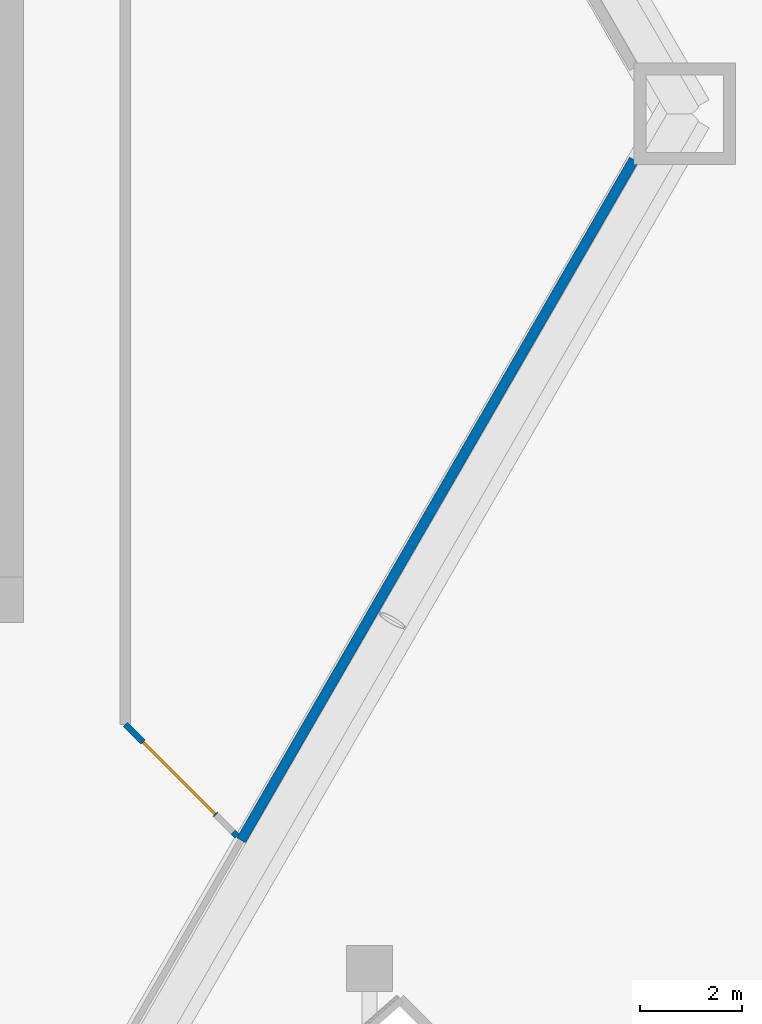
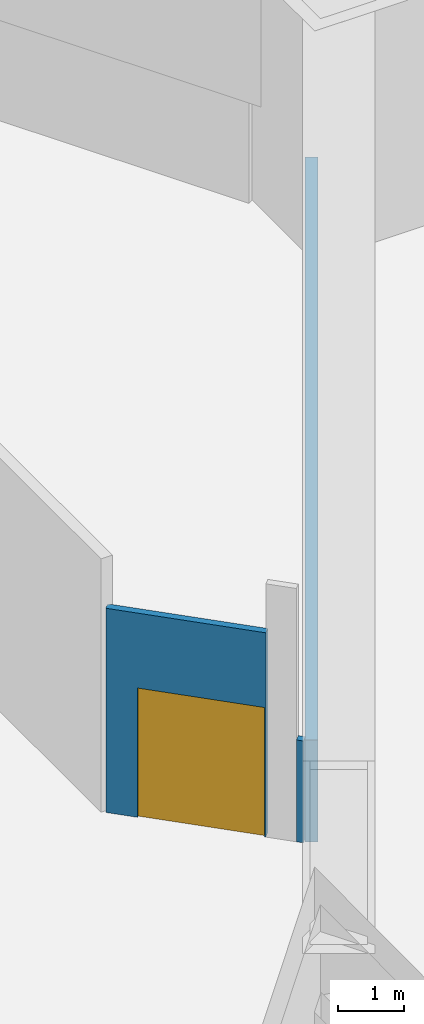
# One storey, part 5 of 10: 3 walls, 1 door, 1 opening.
"""IFC4 building model written with IfcOpenShell, lengths in metres."""

from ifc_helpers import new_model, si_unit, direction, frame, frame_2d, origin, place, context, subcontext, project, spatial, rectangle, extrude, material, layer, layer_set, type_object, element, fill, save


model = new_model("IFC4")

# Units and contexts
model_context = context("Model", 3, precision=1e-05, world=origin(), true_north=direction((0.0, 1.0)))
body_context = subcontext(model_context, "Body", "Model", "MODEL_VIEW")
ifc_project = project(units=[si_unit("LENGTHUNIT", "METRE"), si_unit("AREAUNIT", "SQUARE_METRE"), si_unit("VOLUMEUNIT", "CUBIC_METRE"), si_unit("PLANEANGLEUNIT", "RADIAN"), si_unit("MASSUNIT", "GRAM", prefix="KILO")], contexts=[model_context])

# Site, building, storey
site_placement = place(None, origin())
site = spatial("IfcSite", under=ifc_project, at=site_placement, CompositionType="ELEMENT")
building_placement = place(site_placement, origin())
building = spatial("IfcBuilding", under=site, at=building_placement, Name="Golbaran Civic Tower", CompositionType="ELEMENT")
storey_placement = place(building_placement, frame((0.0, 0.0, 16.0)))
storey = spatial("IfcBuildingStorey", under=building, at=storey_placement, Name="L03", CompositionType="ELEMENT", Elevation=16.0)

# Wall, opening, door
ifc_material_1 = material(Name="Glazed screen on steel framing", Category="steel")
ifc_layer_1 = layer(ifc_material_1, 0.1201171875, Name="Glazed screen on steel framing")
ifc_layer_set_1 = layer_set([ifc_layer_1], Name="Glazed screen on steel framing")
wall_type_1 = type_object("IfcWallType", Name="GLAZED SCREEN PARTITION 120", PredefinedType="PARTITIONING", material=ifc_layer_set_1)
wall_1_placement = place(storey_placement, frame((12.0, -12.0, 0.0), z_axis=(0.0, 0.0, 1.0), x_axis=(0.707106781187, -0.707106781187, 0.0)))
wall_1 = element("IfcWall", 1, at=wall_1_placement, inside=storey, type_object=wall_type_1, Name="Podium partition L03", PredefinedType="PARTITIONING", context=body_context, shape_type="SweptSolid", body=[
    extrude(rectangle(XDim=2.51904296875, YDim=0.1201171875, at=frame_2d((1.259521484375, 0.0))), origin(), (0.0, 0.0, 1.0), 3.7900390625),
])
opening_placement = place(wall_1_placement, frame((0.499267578125, 0.0, 0.0)))
opening = element("IfcOpeningElement", 2, at=opening_placement, cuts=wall_1, Name="Opening L03.03", PredefinedType="OPENING", context=body_context, shape_type="SweptSolid", body=[
    extrude(rectangle(XDim=2.0, YDim=2.39990234375, at=frame_2d((1.0, 1.199951171875))), frame((0.0, 0.070068359375, 0.0), z_axis=(0.0, -1.0, 0.0), x_axis=(1.0, 0.0, 0.0)), (0.0, 0.0, 1.0), 0.14013671875),
])
ifc_material_2 = material(Name="Timber door set in steel frame", Category="steel")
door_type = type_object("IfcDoorType", Name="PUBLIC DOUBLE DOOR 2000x2400", OperationType="DOUBLE_DOOR_SINGLE_SWING", PredefinedType="DOOR", material=ifc_material_2)
door_placement = place(opening_placement, origin())
door = element("IfcDoor", 3, at=door_placement, inside=storey, type_object=door_type, Name="Office 1 door", OperationType="DOUBLE_DOOR_SINGLE_SWING", OverallHeight=2.39990234375, OverallWidth=2.0, PredefinedType="DOOR", context=body_context, shape_type="SweptSolid", body=[
    extrude(rectangle(XDim=2.0, YDim=2.39990234375, at=frame_2d((1.0, 1.199951171875))), frame((0.0, 0.02490234375, 0.0), z_axis=(0.0, -1.0, 0.0), x_axis=(1.0, 0.0, 0.0)), (0.0, 0.0, 1.0), 0.050048828125),
])
fill(opening, door)

# Walls
wall_2_placement = place(storey_placement, frame((14.1201171875, -14.1201171875, 0.0), z_axis=(0.0, 0.0, 1.0), x_axis=(0.707106781187, -0.707106781187, 0.0)))
element("IfcWall", 4, at=wall_2_placement, inside=storey, type_object=wall_type_1, Name="Podium partition L03 under the beam over", PredefinedType="PARTITIONING", context=body_context, shape_type="SweptSolid", body=[
    extrude(rectangle(XDim=0.114013671875, YDim=0.1201171875, at=frame_2d((0.05712890625, 0.0))), origin(), (0.0, 0.0, 1.0), 1.889892578125),
])
ifc_material_3 = material(Name="Concrete block, plastered", Category="concrete")
ifc_layer_2 = layer(ifc_material_3, 0.199951171875, Name="Concrete block, plastered")
ifc_layer_set_2 = layer_set([ifc_layer_2], Name="Concrete block, plastered")
wall_type_2 = type_object("IfcWallType", Name="PODIUM PARTITION 200", PredefinedType="PARTITIONING", material=ifc_layer_set_2)
wall_3_placement = place(storey_placement, frame((14.280029296875, -14.280029296875, 0.0), z_axis=(0.0, 0.0, 1.0), x_axis=(0.499789042554, 0.866147165869, 0.0)))
element("IfcWall", 5, at=wall_3_placement, inside=storey, type_object=wall_type_2, Name="Podium partition L03 under the transfer girder", PredefinedType="PARTITIONING", context=body_context, shape_type="SweptSolid", body=[
    extrude(rectangle(XDim=15.446533203125, YDim=0.199951171875, at=frame_2d((7.72314453125, 0.0))), origin(), (0.0, 0.0, 1.0), 1.889892578125),
])

save(model, "model.ifc")
